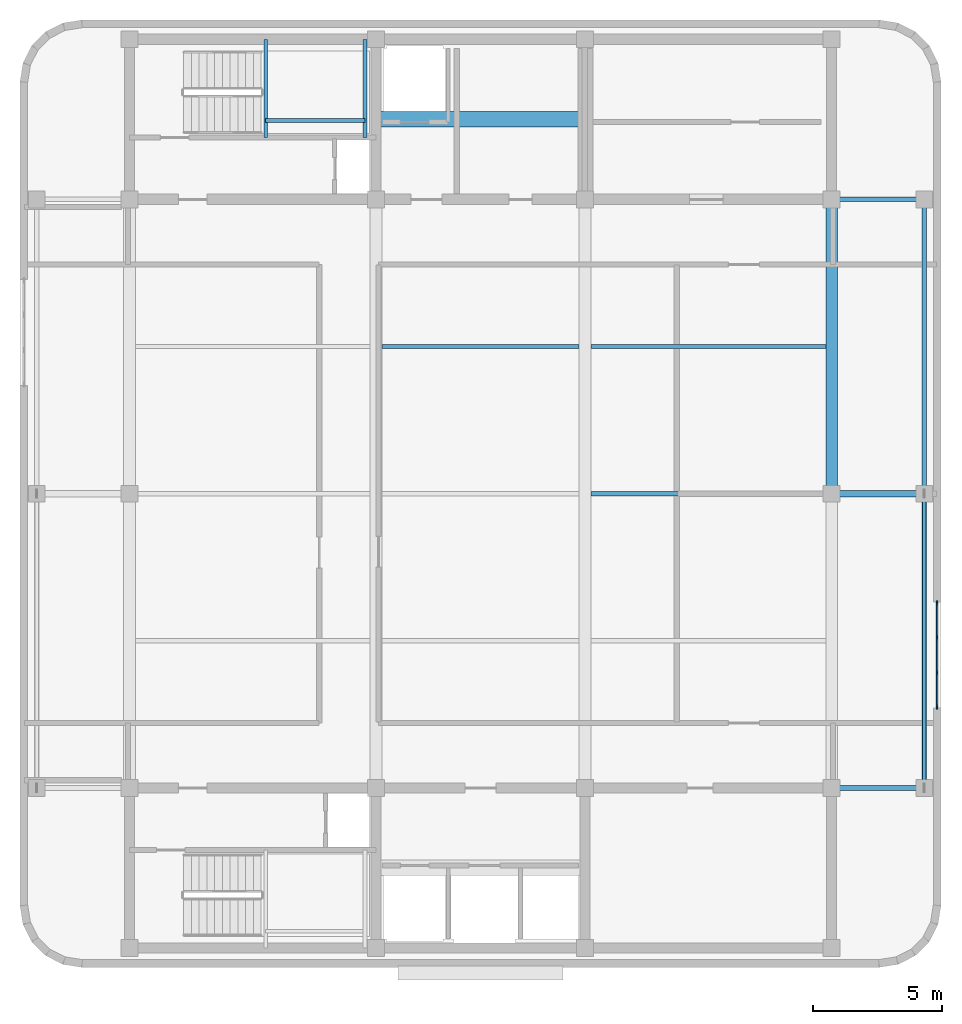
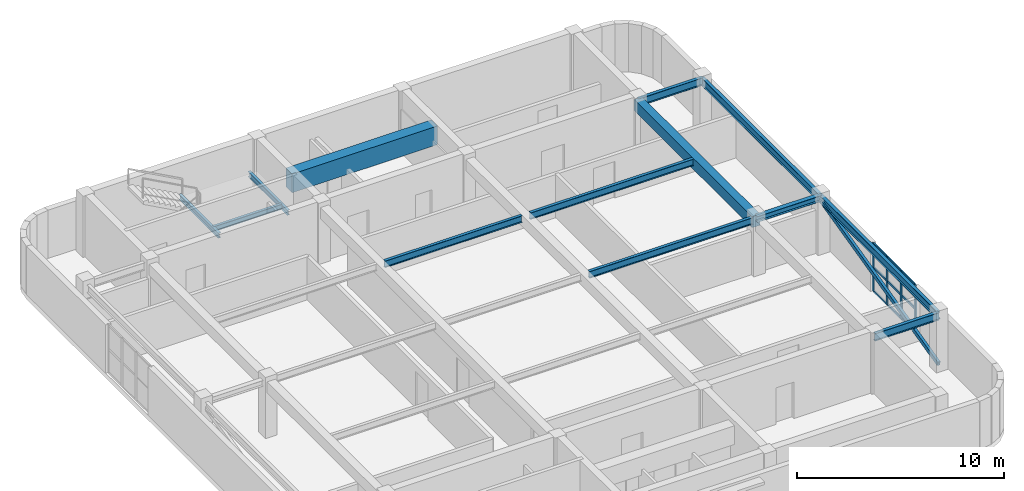
# One storey, part 3 of 9: 14 members, 13 beams, 1 element without a shape of its own.
"""IFC4 building model written with IfcOpenShell, lengths in metres."""

from ifc_helpers import new_model, si_unit, direction, frame, origin, origin_2d, place, context, subcontext, project, spatial, rectangle, hollow_rectangle, i_section, extrude, material, material_profile, profile_set, type_object, element, aggregate, save


model = new_model("IFC4")

# Units and contexts
model_context = context("Model", 3, precision=1e-05, world=origin(), true_north=direction((0.0, 1.0)))
body_context = subcontext(model_context, "Body", "Model", "MODEL_VIEW")
ifc_project = project(units=[si_unit("LENGTHUNIT", "METRE"), si_unit("AREAUNIT", "SQUARE_METRE"), si_unit("VOLUMEUNIT", "CUBIC_METRE"), si_unit("PLANEANGLEUNIT", "RADIAN"), si_unit("MASSUNIT", "GRAM", prefix="KILO")], contexts=[model_context])

# Site, building, storey
site_placement = place(None, origin())
site = spatial("IfcSite", under=ifc_project, at=site_placement, CompositionType="ELEMENT")
building_placement = place(site_placement, origin())
building = spatial("IfcBuilding", under=site, at=building_placement, Name="Svetorya Sky Lyceum", CompositionType="ELEMENT")
storey_placement = place(building_placement, frame((0.0, 0.0, 305.60009765625)))
storey = spatial("IfcBuildingStorey", under=building, at=storey_placement, Name="C02", CompositionType="ELEMENT", Elevation=305.60009765625)

# Beams
ifc_material_1 = material(Name="Concrete C60/75", Category="concrete")
ifc_material_profile_1 = material_profile(ifc_material_1, rectangle(XDim=0.60009765625, YDim=1.10009765625, at=origin_2d()), Name="RC COUPLING 600x1100")
ifc_profile_set_1 = profile_set([ifc_material_profile_1], Name="Concrete C60/75")
beam_type_1 = type_object("IfcBeamType", Name="BM-CPL-1100", PredefinedType="LINTEL", material=ifc_profile_set_1)
beam_1_placement = place(storey_placement, frame((35.14990234375, 42.699951171875, 2.77001953125), z_axis=(1.0, 0.0, 0.0), x_axis=(0.0, 1.0, 0.0)))
element("IfcBeam", 1, at=beam_1_placement, inside=storey, type_object=beam_type_1, Name="C02 NC Core Coupling Beam", PredefinedType="LINTEL", context=body_context, shape_type="SweptSolid", body=[
    extrude(rectangle(XDim=0.60009765625, YDim=1.10009765625, at=origin_2d()), origin(), (0.0, 0.0, 1.0), 8.10009765625),
])
ifc_material_2 = material(Name="Concrete C40/50", Category="concrete")
ifc_material_profile_2 = material_profile(ifc_material_2, rectangle(XDim=0.449951171875, YDim=0.64990234375, at=origin_2d()), Name="RC BEAM 450x650")
ifc_profile_set_2 = profile_set([ifc_material_profile_2], Name="Concrete C40/50")
beam_type_2 = type_object("IfcBeamType", Name="BM-RC-650", PredefinedType="BEAM", material=ifc_profile_set_2)
beam_2_placement = place(storey_placement, frame((52.800048828125, 28.199951171875, 2.994873046875), z_axis=(0.0, 1.0, 0.0), x_axis=(-1.0, 0.0, 0.0)))
element("IfcBeam", 2, at=beam_2_placement, inside=storey, type_object=beam_type_2, Name="C02 Central Bay Primary Girder CG-4B", PredefinedType="BEAM", context=body_context, shape_type="SweptSolid", body=[
    extrude(rectangle(XDim=0.449951171875, YDim=0.64990234375, at=origin_2d()), origin(), (0.0, 0.0, 1.0), 11.400146484375),
])
ifc_material_3 = material(Name="Steel S355", Category="steel")
ifc_material_profile_3 = material_profile(ifc_material_3, i_section(OverallWidth=0.14990234375, OverallDepth=0.299072265625, WebThickness=0.006591796875, FlangeThickness=0.010498046875, at=origin_2d()), Name="GOST 30B2")
ifc_profile_set_3 = profile_set([ifc_material_profile_3], Name="Steel S355")
beam_type_3 = type_object("IfcBeamType", Name="BM-STL-30B2", PredefinedType="JOIST", material=ifc_profile_set_3)
for number, where, z_axis, x_axis, name in (
    (3, (30.8798828125, 42.0, 1.450439453125), (0.0, 1.0, 0.0), (-1.0, 0.0, 0.0), "C02 Stair ST-N Half-Landing Support Beam 85.1"),
    (4, (34.719970703125, 42.0, 1.450439453125), (0.0, 1.0, 0.0), (-1.0, 0.0, 0.0), "C02 Stair ST-N Half-Landing Support Beam 85.2"),
):
    element("IfcBeam", number, at=place(storey_placement, frame(where, z_axis=z_axis, x_axis=x_axis)), inside=storey, type_object=beam_type_3, Name=name, PredefinedType="JOIST", context=body_context, shape_type="SweptSolid", body=[
        extrude(i_section(OverallWidth=0.14990234375, OverallDepth=0.299072265625, WebThickness=0.006591796875, FlangeThickness=0.010498046875, at=origin_2d()), origin(), (0.0, 0.0, 1.0), 3.800048828125),
    ])
beam_3_placement = place(storey_placement, frame((30.8798828125, 42.64990234375, 1.450439453125), z_axis=(1.0, 0.0, 0.0), x_axis=(0.0, 1.0, 0.0)))
element("IfcBeam", 5, at=beam_3_placement, inside=storey, type_object=beam_type_3, Name="C02 Stair ST-N Half-Landing Cross Tie 85", PredefinedType="JOIST", context=body_context, shape_type="SweptSolid", body=[
    extrude(i_section(OverallWidth=0.14990234375, OverallDepth=0.299072265625, WebThickness=0.006591796875, FlangeThickness=0.010498046875, at=origin_2d()), origin(), (0.0, 0.0, 1.0), 3.840087890625),
])
ifc_material_profile_4 = material_profile(ifc_material_3, i_section(OverallWidth=0.25, OverallDepth=0.345947265625, WebThickness=0.009521484375, FlangeThickness=0.014404296875, at=origin_2d()), Name="GOST 35Sh2")
ifc_profile_set_4 = profile_set([ifc_material_profile_4], Name="Steel S355")
beam_type_4 = type_object("IfcBeamType", Name="BM-STL-35SH2", PredefinedType="BEAM", material=ifc_profile_set_4)
beam_4_placement = place(storey_placement, frame((52.800048828125, 28.199951171875, 3.14697265625), z_axis=(1.0, 0.0, 0.0), x_axis=(0.0, 1.0, 0.0)))
element("IfcBeam", 6, at=beam_4_placement, inside=storey, type_object=beam_type_4, Name="C02 East Wing Floor Joist E2", PredefinedType="BEAM", context=body_context, shape_type="SweptSolid", body=[
    extrude(i_section(OverallWidth=0.25, OverallDepth=0.345947265625, WebThickness=0.009521484375, FlangeThickness=0.014404296875, at=origin_2d()), origin(), (0.0, 0.0, 1.0), 3.58984375),
])
ifc_material_profile_5 = material_profile(ifc_material_3, i_section(OverallWidth=0.1650390625, OverallDepth=0.39990234375, WebThickness=0.008056640625, FlangeThickness=0.012939453125, at=origin_2d()), Name="GOST 40B2")
ifc_profile_set_5 = profile_set([ifc_material_profile_5], Name="Steel S355")
beam_type_5 = type_object("IfcBeamType", Name="BM-STL-40B2", PredefinedType="JOIST", material=ifc_profile_set_5)
beam_5_placement = place(storey_placement, frame((43.47509765625, 28.199951171875, 3.119873046875), z_axis=(1.0, 0.0, 0.0), x_axis=(0.0, 1.0, 0.0)))
element("IfcBeam", 7, at=beam_5_placement, inside=storey, type_object=beam_type_5, Name="C02 Central Floor Joist CJ-2.3", PredefinedType="JOIST", context=body_context, shape_type="SweptSolid", body=[
    extrude(i_section(OverallWidth=0.1650390625, OverallDepth=0.39990234375, WebThickness=0.008056640625, FlangeThickness=0.012939453125, at=origin_2d()), origin(), (0.0, 0.0, 1.0), 9.099853515625),
])
beam_6_placement = place(storey_placement, frame((35.375, 33.89990234375, 3.119873046875), z_axis=(1.0, 0.0, 0.0), x_axis=(0.0, 1.0, 0.0)))
element("IfcBeam", 8, at=beam_6_placement, inside=storey, type_object=beam_type_5, Name="C02 Central Floor Joist CJ-3.2", PredefinedType="JOIST", context=body_context, shape_type="SweptSolid", body=[
    extrude(i_section(OverallWidth=0.1650390625, OverallDepth=0.39990234375, WebThickness=0.008056640625, FlangeThickness=0.012939453125, at=origin_2d()), origin(), (0.0, 0.0, 1.0), 7.64990234375),
])
beam_7_placement = place(storey_placement, frame((43.47509765625, 33.89990234375, 3.119873046875), z_axis=(1.0, 0.0, 0.0), x_axis=(0.0, 1.0, 0.0)))
element("IfcBeam", 9, at=beam_7_placement, inside=storey, type_object=beam_type_5, Name="C02 Central Floor Joist CJ-3.3", PredefinedType="JOIST", context=body_context, shape_type="SweptSolid", body=[
    extrude(i_section(OverallWidth=0.1650390625, OverallDepth=0.39990234375, WebThickness=0.008056640625, FlangeThickness=0.012939453125, at=origin_2d()), origin(), (0.0, 0.0, 1.0), 9.099853515625),
])
ifc_material_profile_6 = material_profile(ifc_material_3, i_section(OverallWidth=0.179931640625, OverallDepth=0.449951171875, WebThickness=0.009033203125, FlangeThickness=0.014404296875, at=origin_2d()), Name="GOST 45B2")
ifc_profile_set_6 = profile_set([ifc_material_profile_6], Name="Steel S355")
beam_type_6 = type_object("IfcBeamType", Name="BM-STL-45B2", PredefinedType="SPANDREL", material=ifc_profile_set_6)
for number, where, z_axis, x_axis, name in (
    (10, (52.800048828125, 16.800048828125, 3.094970703125), (1.0, 0.0, 0.0), (0.0, 1.0, 0.0), "C02 Tie Spandrel SE"),
    (11, (52.800048828125, 39.60009765625, 3.094970703125), (1.0, 0.0, 0.0), (0.0, 1.0, 0.0), "C02 Tie Spandrel NE"),
):
    element("IfcBeam", number, at=place(storey_placement, frame(where, z_axis=z_axis, x_axis=x_axis)), inside=storey, type_object=beam_type_6, Name=name, PredefinedType="SPANDREL", context=body_context, shape_type="SweptSolid", body=[
        extrude(i_section(OverallWidth=0.179931640625, OverallDepth=0.449951171875, WebThickness=0.009033203125, FlangeThickness=0.014404296875, at=origin_2d()), origin(), (0.0, 0.0, 1.0), 3.58984375),
    ])
beam_8_placement = place(storey_placement, frame((56.389892578125, 16.800048828125, 3.094970703125), z_axis=(0.0, 1.0, 0.0), x_axis=(-1.0, 0.0, 0.0)))
element("IfcBeam", 12, at=beam_8_placement, inside=storey, type_object=beam_type_6, Name="C02 East Spandrel 1", PredefinedType="SPANDREL", context=body_context, shape_type="SweptSolid", body=[
    extrude(i_section(OverallWidth=0.179931640625, OverallDepth=0.449951171875, WebThickness=0.009033203125, FlangeThickness=0.014404296875, at=origin_2d()), origin(), (0.0, 0.0, 1.0), 11.39990234375),
])
beam_9_placement = place(storey_placement, frame((56.389892578125, 28.199951171875, 3.094970703125), z_axis=(0.0, 1.0, 0.0), x_axis=(-1.0, 0.0, 0.0)))
element("IfcBeam", 13, at=beam_9_placement, inside=storey, type_object=beam_type_6, Name="C02 East Spandrel 2", PredefinedType="SPANDREL", context=body_context, shape_type="SweptSolid", body=[
    extrude(i_section(OverallWidth=0.179931640625, OverallDepth=0.449951171875, WebThickness=0.009033203125, FlangeThickness=0.014404296875, at=origin_2d()), origin(), (0.0, 0.0, 1.0), 11.400146484375),
])

# Curtain wall, members
ifc_material_4 = material(Name="Thermally broken anodized aluminium and triple low-E glass", Category="aluminium")
curtain_wall_type = type_object("IfcCurtainWallType", Name="CW5-LVR-PLT", PredefinedType="NOTDEFINED", material=ifc_material_4)
curtain_wall_placement = place(storey_placement, origin())
curtain_wall = element("IfcCurtainWall", 14, at=curtain_wall_placement, inside=storey, type_object=curtain_wall_type, Name="C02 Acoustic Plant Louvre Curtain Wall 12", PredefinedType="NOTDEFINED")
ifc_material_5 = material(Name="Thermally broken anodized aluminium EN AW-6060", Category="aluminium")
ifc_material_profile_7 = material_profile(ifc_material_5, rectangle(XDim=0.06494140625, YDim=0.179931640625, at=origin_2d()), Name="ALU MULLION 65x180")
ifc_profile_set_7 = profile_set([ifc_material_profile_7], Name="Thermally broken anodized aluminium EN AW-6060")
member_type_1 = type_object("IfcMemberType", Name="CWM-MUL-180", PredefinedType="MULLION", material=ifc_profile_set_7)
member_1_placement = place(storey_placement, frame((56.889892578125, 19.9326171875, 0.0), z_axis=(0.0, 0.0, 1.0), x_axis=(-1.0, 0.0, 0.0)))
member_1 = element("IfcMember", 15, at=member_1_placement, type_object=member_type_1, Name="CW-5 mullion 1", PredefinedType="MULLION", context=body_context, shape_type="SweptSolid", body=[
    extrude(rectangle(XDim=0.06494140625, YDim=0.179931640625, at=origin_2d()), origin(), (0.0, 0.0, 1.0), 2.83984375),
])
member_2_placement = place(storey_placement, frame((56.889892578125, 21.2666015625, 0.0), z_axis=(0.0, 0.0, 1.0), x_axis=(-1.0, 0.0, 0.0)))
member_2 = element("IfcMember", 16, at=member_2_placement, type_object=member_type_1, Name="CW-5 mullion 2", PredefinedType="MULLION", context=body_context, shape_type="SweptSolid", body=[
    extrude(rectangle(XDim=0.06494140625, YDim=0.179931640625, at=origin_2d()), origin(), (0.0, 0.0, 1.0), 2.83984375),
])
member_3_placement = place(storey_placement, frame((56.889892578125, 22.63330078125, 0.0), z_axis=(0.0, 0.0, 1.0), x_axis=(-1.0, 0.0, 0.0)))
member_3 = element("IfcMember", 17, at=member_3_placement, type_object=member_type_1, Name="CW-5 mullion 3", PredefinedType="MULLION", context=body_context, shape_type="SweptSolid", body=[
    extrude(rectangle(XDim=0.06494140625, YDim=0.179931640625, at=origin_2d()), origin(), (0.0, 0.0, 1.0), 2.83984375),
])
member_4_placement = place(storey_placement, frame((56.889892578125, 23.967529296875, 0.0), z_axis=(0.0, 0.0, 1.0), x_axis=(-1.0, 0.0, 0.0)))
member_4 = element("IfcMember", 18, at=member_4_placement, type_object=member_type_1, Name="CW-5 mullion 4", PredefinedType="MULLION", context=body_context, shape_type="SweptSolid", body=[
    extrude(rectangle(XDim=0.06494140625, YDim=0.179931640625, at=origin_2d()), origin(), (0.0, 0.0, 1.0), 2.83984375),
])
ifc_material_profile_8 = material_profile(ifc_material_5, rectangle(XDim=0.06494140625, YDim=0.139892578125, at=origin_2d()), Name="ALU TRANSOM 65x140")
ifc_profile_set_8 = profile_set([ifc_material_profile_8], Name="Thermally broken anodized aluminium EN AW-6060")
member_type_2 = type_object("IfcMemberType", Name="CWM-TRN-140", PredefinedType="USERDEFINED", material=ifc_profile_set_8)
member_5_placement = place(storey_placement, frame((56.889892578125, 19.96337890625, 0.032470703125), z_axis=(0.0, 1.0, 0.0), x_axis=(-1.0, 0.0, 0.0)))
member_5 = element("IfcMember", 19, at=member_5_placement, type_object=member_type_2, Name="CW-5 transom 1.1", ObjectType="TRANSOM", PredefinedType="USERDEFINED", context=body_context, shape_type="SweptSolid", body=[
    extrude(rectangle(XDim=0.06494140625, YDim=0.139892578125, at=origin_2d()), origin(), (0.0, 0.0, 1.0), 1.272216796875),
])
member_6_placement = place(storey_placement, frame((56.889892578125, 19.96337890625, 1.419921875), z_axis=(0.0, 1.0, 0.0), x_axis=(-1.0, 0.0, 0.0)))
member_6 = element("IfcMember", 20, at=member_6_placement, type_object=member_type_2, Name="CW-5 transom 1.2", ObjectType="TRANSOM", PredefinedType="USERDEFINED", context=body_context, shape_type="SweptSolid", body=[
    extrude(rectangle(XDim=0.06494140625, YDim=0.139892578125, at=origin_2d()), origin(), (0.0, 0.0, 1.0), 1.272216796875),
])
member_7_placement = place(storey_placement, frame((56.889892578125, 19.96337890625, 2.807373046875), z_axis=(0.0, 1.0, 0.0), x_axis=(-1.0, 0.0, 0.0)))
member_7 = element("IfcMember", 21, at=member_7_placement, type_object=member_type_2, Name="CW-5 transom 1.3", ObjectType="TRANSOM", PredefinedType="USERDEFINED", context=body_context, shape_type="SweptSolid", body=[
    extrude(rectangle(XDim=0.06494140625, YDim=0.139892578125, at=origin_2d()), origin(), (0.0, 0.0, 1.0), 1.272216796875),
])
member_8_placement = place(storey_placement, frame((56.889892578125, 21.297607421875, 0.032470703125), z_axis=(0.0, 1.0, 0.0), x_axis=(-1.0, 0.0, 0.0)))
member_8 = element("IfcMember", 22, at=member_8_placement, type_object=member_type_2, Name="CW-5 transom 2.1", ObjectType="TRANSOM", PredefinedType="USERDEFINED", context=body_context, shape_type="SweptSolid", body=[
    extrude(rectangle(XDim=0.06494140625, YDim=0.139892578125, at=origin_2d()), origin(), (0.0, 0.0, 1.0), 1.3046875),
])
member_9_placement = place(storey_placement, frame((56.889892578125, 21.297607421875, 1.419921875), z_axis=(0.0, 1.0, 0.0), x_axis=(-1.0, 0.0, 0.0)))
member_9 = element("IfcMember", 23, at=member_9_placement, type_object=member_type_2, Name="CW-5 transom 2.2", ObjectType="TRANSOM", PredefinedType="USERDEFINED", context=body_context, shape_type="SweptSolid", body=[
    extrude(rectangle(XDim=0.06494140625, YDim=0.139892578125, at=origin_2d()), origin(), (0.0, 0.0, 1.0), 1.3046875),
])
member_10_placement = place(storey_placement, frame((56.889892578125, 21.297607421875, 2.807373046875), z_axis=(0.0, 1.0, 0.0), x_axis=(-1.0, 0.0, 0.0)))
member_10 = element("IfcMember", 24, at=member_10_placement, type_object=member_type_2, Name="CW-5 transom 2.3", ObjectType="TRANSOM", PredefinedType="USERDEFINED", context=body_context, shape_type="SweptSolid", body=[
    extrude(rectangle(XDim=0.06494140625, YDim=0.139892578125, at=origin_2d()), origin(), (0.0, 0.0, 1.0), 1.3046875),
])
member_11_placement = place(storey_placement, frame((56.889892578125, 22.664306640625, 0.032470703125), z_axis=(0.0, 1.0, 0.0), x_axis=(-1.0, 0.0, 0.0)))
member_11 = element("IfcMember", 25, at=member_11_placement, type_object=member_type_2, Name="CW-5 transom 3.1", ObjectType="TRANSOM", PredefinedType="USERDEFINED", context=body_context, shape_type="SweptSolid", body=[
    extrude(rectangle(XDim=0.06494140625, YDim=0.139892578125, at=origin_2d()), origin(), (0.0, 0.0, 1.0), 1.272216796875),
])
member_12_placement = place(storey_placement, frame((56.889892578125, 22.664306640625, 1.419921875), z_axis=(0.0, 1.0, 0.0), x_axis=(-1.0, 0.0, 0.0)))
member_12 = element("IfcMember", 26, at=member_12_placement, type_object=member_type_2, Name="CW-5 transom 3.2", ObjectType="TRANSOM", PredefinedType="USERDEFINED", context=body_context, shape_type="SweptSolid", body=[
    extrude(rectangle(XDim=0.06494140625, YDim=0.139892578125, at=origin_2d()), origin(), (0.0, 0.0, 1.0), 1.272216796875),
])
member_13_placement = place(storey_placement, frame((56.889892578125, 22.664306640625, 2.807373046875), z_axis=(0.0, 1.0, 0.0), x_axis=(-1.0, 0.0, 0.0)))
member_13 = element("IfcMember", 27, at=member_13_placement, type_object=member_type_2, Name="CW-5 transom 3.3", ObjectType="TRANSOM", PredefinedType="USERDEFINED", context=body_context, shape_type="SweptSolid", body=[
    extrude(rectangle(XDim=0.06494140625, YDim=0.139892578125, at=origin_2d()), origin(), (0.0, 0.0, 1.0), 1.272216796875),
])
aggregate(curtain_wall, [member_1, member_2, member_3, member_4, member_5, member_6, member_7, member_8, member_9, member_10, member_11, member_12, member_13])

# Member
ifc_material_profile_9 = material_profile(ifc_material_3, hollow_rectangle(XDim=0.14990234375, YDim=0.25, WallThickness=0.010009765625, at=origin_2d()), Name="RHS 250x150x10")
ifc_profile_set_9 = profile_set([ifc_material_profile_9], Name="Steel S355")
member_type_3 = type_object("IfcMemberType", Name="MB-BRC-RHS250", PredefinedType="BRACE", material=ifc_profile_set_9)
member_14_placement = place(storey_placement, frame((56.389892578125, 16.800048828125, 0.25), z_axis=(0.0, 0.971724925391, 0.236115796537), x_axis=(-1.0, 0.0, 0.0)))
element("IfcMember", 28, at=member_14_placement, inside=storey, type_object=member_type_3, Name="C02 Crown Perimeter Frame Brace E", PredefinedType="BRACE", context=body_context, shape_type="SweptSolid", body=[
    extrude(hollow_rectangle(XDim=0.14990234375, YDim=0.25, WallThickness=0.010009765625, at=origin_2d()), origin(), (0.0, 0.0, 1.0), 11.731689453125),
])

save(model, "model.ifc")
